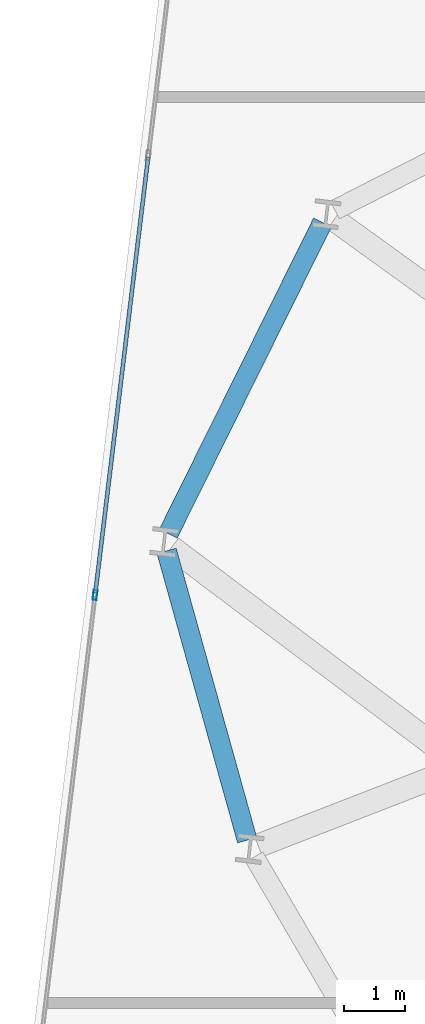
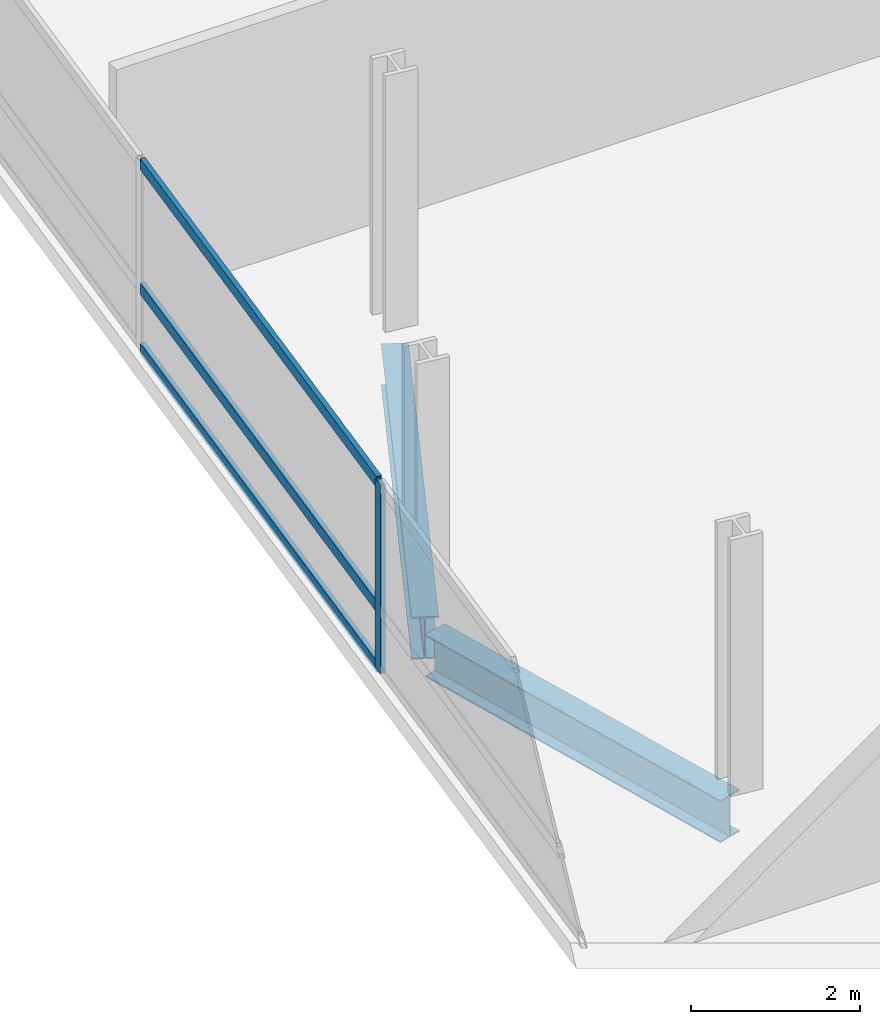
# One storey, part 8 of 26: 4 members, 2 beams, 1 element without a shape of its own.
"""IFC4 building model written with IfcOpenShell, lengths in metres."""

from ifc_helpers import new_model, si_unit, direction, frame, origin, origin_2d, place, context, subcontext, project, spatial, hollow_rectangle, i_section, extrude, material, layer, layer_set, material_profile, profile_set, type_object, element, aggregate, save


model = new_model("IFC4")

# Units and contexts
model_context = context("Model", 3, precision=1e-05, world=origin(), true_north=direction((0.0, 1.0)))
body_context = subcontext(model_context, "Body", "Model", "MODEL_VIEW")
ifc_project = project(units=[si_unit("LENGTHUNIT", "METRE"), si_unit("AREAUNIT", "SQUARE_METRE"), si_unit("VOLUMEUNIT", "CUBIC_METRE"), si_unit("PLANEANGLEUNIT", "RADIAN"), si_unit("MASSUNIT", "GRAM", prefix="KILO")], contexts=[model_context])

# Site, building, storey
site_placement = place(None, origin())
site = spatial("IfcSite", under=ifc_project, at=site_placement, CompositionType="ELEMENT")
building_placement = place(site_placement, origin())
building = spatial("IfcBuilding", under=site, at=building_placement, Name="Varnelok Gate Tower", CompositionType="ELEMENT")
storey_placement = place(building_placement, frame((0.0, 0.0, 121.699951171875)))
storey = spatial("IfcBuildingStorey", under=building, at=storey_placement, Name="L30", CompositionType="ELEMENT", Elevation=121.699951171875)

# Beams
ifc_material_1 = material(Name="Structural Steel ASTM A992 Grade 50", Category="steel")
ifc_material_profile_1 = material_profile(ifc_material_1, i_section(OverallWidth=0.323974609375, OverallDepth=0.611083984375, WebThickness=0.0126953125, FlangeThickness=0.01904296875, FilletRadius=0.01806640625, at=origin_2d()), Name="W24X104")
ifc_profile_set_1 = profile_set([ifc_material_profile_1], Name="Structural Steel ASTM A992 Grade 50")
beam_type = type_object("IfcBeamType", Name="BM-SPN-W24X104", PredefinedType="SPANDREL", material=ifc_profile_set_1)
beam_1_placement = place(storey_placement, frame((6.54052734375, 39.391357421875, -0.555419921875), z_axis=(-0.444186129993, -0.89593452993, 0.0), x_axis=(0.89593452993, -0.444186129993, 0.0)))
element("IfcBeam", 1, at=beam_1_placement, inside=storey, type_object=beam_type, Name="L30 Perimeter Spandrel Beam 14", PredefinedType="SPANDREL", context=body_context, shape_type="SweptSolid", body=[
    extrude(i_section(OverallWidth=0.323974609375, OverallDepth=0.611083984375, WebThickness=0.0126953125, FlangeThickness=0.01904296875, FilletRadius=0.01806640625, at=origin_2d()), origin(), (0.0, 0.0, 1.0), 5.649658203125),
])
beam_2_placement = place(storey_placement, frame((4.004638671875, 34.050537109375, -0.555419921875), z_axis=(0.268350251133, -0.963321411948, 0.0), x_axis=(0.963321411948, 0.268350251133, 0.0)))
element("IfcBeam", 2, at=beam_2_placement, inside=storey, type_object=beam_type, Name="L30 Perimeter Spandrel Beam 15", PredefinedType="SPANDREL", context=body_context, shape_type="SweptSolid", body=[
    extrude(i_section(OverallWidth=0.323974609375, OverallDepth=0.611083984375, WebThickness=0.0126953125, FlangeThickness=0.01904296875, FilletRadius=0.01806640625, at=origin_2d()), origin(), (0.0, 0.0, 1.0), 4.8837890625),
])

# Curtain wall, members
ifc_material_2 = material(Name="Anodized Aluminum Alloy 6063-T6", Category="aluminium")
ifc_layer = layer(ifc_material_2, 0.179931640625)
ifc_layer_set = layer_set([ifc_layer], Name="Anodized Aluminum Alloy 6063-T6")
curtain_wall_type = type_object("IfcCurtainWallType", Name="CW3-HOTEL-VISION", PredefinedType="USERDEFINED", material=ifc_layer_set)
curtain_wall_placement = place(storey_placement, origin())
curtain_wall = element("IfcCurtainWall", 3, at=curtain_wall_placement, inside=storey, type_object=curtain_wall_type, Name="L30 West End Vision Curtain Wall", ObjectType="UNITISED CURTAIN WALL", PredefinedType="USERDEFINED")
ifc_material_profile_2 = material_profile(ifc_material_2, hollow_rectangle(XDim=0.06494140625, YDim=0.159912109375, WallThickness=0.00390625, at=origin_2d()), Name="ALU160X65X4")
ifc_profile_set_2 = profile_set([ifc_material_profile_2], Name="Anodized Aluminum Alloy 6063-T6")
member_type_1 = type_object("IfcMemberType", Name="CW-MULL-160", PredefinedType="MULLION", material=ifc_profile_set_2)
member_1_placement = place(storey_placement, frame((2.842529296875, 33.333740234375, 0.0), z_axis=(0.0, 0.0, 1.0), x_axis=(-0.99273188146, 0.120347046212, 0.0)))
member_1 = element("IfcMember", 4, at=member_1_placement, type_object=member_type_1, Name="CW3 mullion 4", PredefinedType="MULLION", context=body_context, shape_type="SweptSolid", body=[
    extrude(hollow_rectangle(XDim=0.06494140625, YDim=0.159912109375, WallThickness=0.00390625, at=origin_2d()), origin(), (0.0, 0.0, 1.0), 2.72998046875),
])
ifc_material_profile_3 = material_profile(ifc_material_2, hollow_rectangle(XDim=0.06494140625, YDim=0.159912109375, WallThickness=0.00390625, at=origin_2d()), Name="ALU160X65X4")
ifc_profile_set_3 = profile_set([ifc_material_profile_3], Name="Anodized Aluminum Alloy 6063-T6")
member_type_2 = type_object("IfcMemberType", Name="CW-TRAN-160", PredefinedType="USERDEFINED", material=ifc_profile_set_3)
member_2_placement = place(storey_placement, frame((2.846435546875, 33.3662109375, 0.032470703125), z_axis=(0.120344652138, 0.992732171687, 0.0), x_axis=(-0.992732171687, 0.120344652138, 0.0)))
member_2 = element("IfcMember", 5, at=member_2_placement, type_object=member_type_2, Name="CW3 transom 4.1", ObjectType="TRANSOM", PredefinedType="USERDEFINED", context=body_context, shape_type="SweptSolid", body=[
    extrude(hollow_rectangle(XDim=0.06494140625, YDim=0.159912109375, WallThickness=0.00390625, at=origin_2d()), origin(), (0.0, 0.0, 1.0), 7.134765625),
])
member_3_placement = place(storey_placement, frame((2.846435546875, 33.3662109375, 0.900146484375), z_axis=(0.120344652138, 0.992732171687, 0.0), x_axis=(-0.992732171687, 0.120344652138, 0.0)))
member_3 = element("IfcMember", 6, at=member_3_placement, type_object=member_type_2, Name="CW3 transom 4.2", ObjectType="TRANSOM", PredefinedType="USERDEFINED", context=body_context, shape_type="SweptSolid", body=[
    extrude(hollow_rectangle(XDim=0.06494140625, YDim=0.159912109375, WallThickness=0.00390625, at=origin_2d()), origin(), (0.0, 0.0, 1.0), 7.134765625),
])
member_4_placement = place(storey_placement, frame((2.846435546875, 33.3662109375, 2.697509765625), z_axis=(0.120344652138, 0.992732171687, 0.0), x_axis=(-0.992732171687, 0.120344652138, 0.0)))
member_4 = element("IfcMember", 7, at=member_4_placement, type_object=member_type_2, Name="CW3 transom 4.3", ObjectType="TRANSOM", PredefinedType="USERDEFINED", context=body_context, shape_type="SweptSolid", body=[
    extrude(hollow_rectangle(XDim=0.06494140625, YDim=0.159912109375, WallThickness=0.00390625, at=origin_2d()), origin(), (0.0, 0.0, 1.0), 7.134765625),
])
aggregate(curtain_wall, [member_1, member_2, member_3, member_4])

save(model, "model.ifc")
